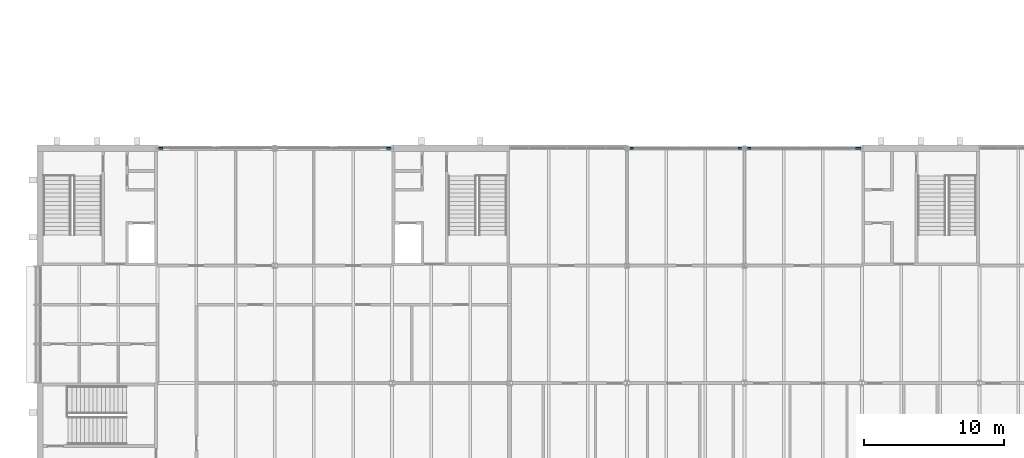
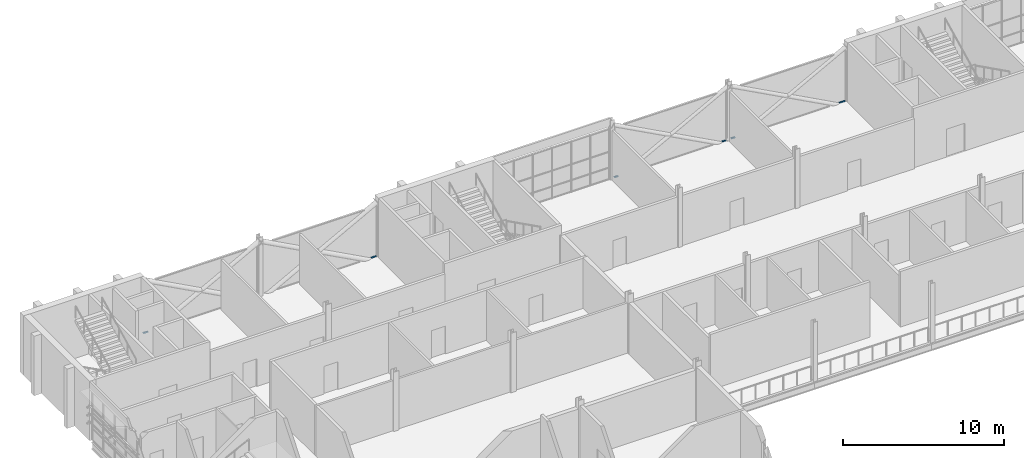
# One storey, part 64 of 129: 6 members, 4 elements without a shape of their own.
"""IFC4 building model written with IfcOpenShell, lengths in metres."""

from ifc_helpers import new_model, si_unit, direction, frame, origin, origin_2d, place, context, subcontext, project, spatial, rectangle, extrude, material, layer, layer_set, material_profile, profile_set, type_object, element, aggregate, save


model = new_model("IFC4")

# Units and contexts
model_context = context("Model", 3, precision=1e-05, world=origin(), true_north=direction((0.0, 1.0)))
body_context = subcontext(model_context, "Body", "Model", "MODEL_VIEW")
ifc_project = project(units=[si_unit("LENGTHUNIT", "METRE"), si_unit("AREAUNIT", "SQUARE_METRE"), si_unit("VOLUMEUNIT", "CUBIC_METRE"), si_unit("PLANEANGLEUNIT", "RADIAN"), si_unit("MASSUNIT", "GRAM", prefix="KILO")], contexts=[model_context])

# Site, building, storey
site_placement = place(None, origin())
site = spatial("IfcSite", under=ifc_project, at=site_placement, CompositionType="ELEMENT")
building_placement = place(site_placement, origin())
building = spatial("IfcBuilding", under=site, at=building_placement, Name="Ardhachandra Cancer Care Centre", CompositionType="ELEMENT")
storey_placement = place(building_placement, frame((0.0, 0.0, 4.5)))
storey = spatial("IfcBuildingStorey", under=building, at=storey_placement, Name="L01", CompositionType="ELEMENT", Elevation=4.5)

# Curtain wall, member
ifc_material_1 = material(Name="Aluminium extrusion", Category="aluminium")
ifc_layer = layer(ifc_material_1, 0.14990234375)
ifc_layer_set = layer_set([ifc_layer], Name="Aluminium extrusion")
curtain_wall_type = type_object("IfcCurtainWallType", Name="Curtain wall run", PredefinedType="NOTDEFINED", material=ifc_layer_set)
curtain_wall_1_placement = place(storey_placement, origin())
curtain_wall_1 = element("IfcCurtainWall", 1, at=curtain_wall_1_placement, inside=storey, type_object=curtain_wall_type, Name="Curtain wall L01 n/0019200_0096600", PredefinedType="NOTDEFINED")
ifc_material_2 = material(Name="Aluminium extrusion", Category="aluminium")
ifc_material_profile = material_profile(ifc_material_2, rectangle(XDim=0.1201171875, YDim=0.06005859375, at=origin_2d()), Name="Curtain wall transom 60 x 120")
ifc_profile_set = profile_set([ifc_material_profile], Name="Aluminium extrusion")
member_type = type_object("IfcMemberType", Name="Curtain wall transom 60 x 120", PredefinedType="USERDEFINED", material=ifc_profile_set)
member_1_placement = place(storey_placement, frame((19.260009765625, 96.60009765625, 0.030029296875), z_axis=(1.0, 0.0, 0.0), x_axis=(0.0, 1.0, 0.0)))
member_1 = element("IfcMember", 2, at=member_1_placement, type_object=member_type, Name="CW transom 1.1", ObjectType="TRANSOM", PredefinedType="USERDEFINED", context=body_context, shape_type="SweptSolid", body=[
    extrude(rectangle(XDim=0.1201171875, YDim=0.06005859375, at=origin_2d()), origin(), (0.0, 0.0, 1.0), 0.340576171875),
])
aggregate(curtain_wall_1, [member_1])

curtain_wall_2_placement = place(storey_placement, origin())
curtain_wall_2 = element("IfcCurtainWall", 3, at=curtain_wall_2_placement, inside=storey, type_object=curtain_wall_type, Name="Curtain wall L01 n/0027600_0096600", PredefinedType="NOTDEFINED")
member_2_placement = place(storey_placement, frame((35.598388671875, 96.60009765625, 0.030029296875), z_axis=(1.0, 0.0, 0.0), x_axis=(0.0, 1.0, 0.0)))
member_2 = element("IfcMember", 4, at=member_2_placement, type_object=member_type, Name="CW transom 1.1", ObjectType="TRANSOM", PredefinedType="USERDEFINED", context=body_context, shape_type="SweptSolid", body=[
    extrude(rectangle(XDim=0.1201171875, YDim=0.06005859375, at=origin_2d()), origin(), (0.0, 0.0, 1.0), 0.341552734375),
])
aggregate(curtain_wall_2, [member_2])

# Curtain wall, members
curtain_wall_3_placement = place(storey_placement, origin())
curtain_wall_3 = element("IfcCurtainWall", 5, at=curtain_wall_3_placement, inside=storey, type_object=curtain_wall_type, Name="Curtain wall L01 n/0052800_0096600", PredefinedType="NOTDEFINED")
member_3_placement = place(storey_placement, frame((53.010009765625, 96.60009765625, 0.030029296875), z_axis=(1.0, 0.0, 0.0), x_axis=(0.0, 1.0, 0.0)))
member_3 = element("IfcMember", 6, at=member_3_placement, type_object=member_type, Name="CW transom 1.1", ObjectType="TRANSOM", PredefinedType="USERDEFINED", context=body_context, shape_type="SweptSolid", body=[
    extrude(rectangle(XDim=0.1201171875, YDim=0.06005859375, at=origin_2d()), origin(), (0.0, 0.0, 1.0), 0.244384765625),
])
member_4_placement = place(storey_placement, frame((60.74462890625, 96.60009765625, 0.030029296875), z_axis=(1.0, 0.0, 0.0), x_axis=(0.0, 1.0, 0.0)))
member_4 = element("IfcMember", 7, at=member_4_placement, type_object=member_type, Name="CW transom 1.1", ObjectType="TRANSOM", PredefinedType="USERDEFINED", context=body_context, shape_type="SweptSolid", body=[
    extrude(rectangle(XDim=0.1201171875, YDim=0.06005859375, at=origin_2d()), origin(), (0.0, 0.0, 1.0), 0.245361328125),
])
aggregate(curtain_wall_3, [member_3, member_4])

curtain_wall_4_placement = place(storey_placement, origin())
curtain_wall_4 = element("IfcCurtainWall", 8, at=curtain_wall_4_placement, inside=storey, type_object=curtain_wall_type, Name="Curtain wall L01 n/0061200_0096600", PredefinedType="NOTDEFINED")
member_5_placement = place(storey_placement, frame((61.409912109375, 96.60009765625, 0.030029296875), z_axis=(1.0, 0.0, 0.0), x_axis=(0.0, 1.0, 0.0)))
member_5 = element("IfcMember", 9, at=member_5_placement, type_object=member_type, Name="CW transom 1.1", ObjectType="TRANSOM", PredefinedType="USERDEFINED", context=body_context, shape_type="SweptSolid", body=[
    extrude(rectangle(XDim=0.1201171875, YDim=0.06005859375, at=origin_2d()), origin(), (0.0, 0.0, 1.0), 0.24462890625),
])
member_6_placement = place(storey_placement, frame((69.14453125, 96.60009765625, 0.030029296875), z_axis=(1.0, 0.0, 0.0), x_axis=(0.0, 1.0, 0.0)))
member_6 = element("IfcMember", 10, at=member_6_placement, type_object=member_type, Name="CW transom 1.1", ObjectType="TRANSOM", PredefinedType="USERDEFINED", context=body_context, shape_type="SweptSolid", body=[
    extrude(rectangle(XDim=0.1201171875, YDim=0.06005859375, at=origin_2d()), origin(), (0.0, 0.0, 1.0), 0.3955078125),
])
aggregate(curtain_wall_4, [member_5, member_6])

save(model, "model.ifc")
